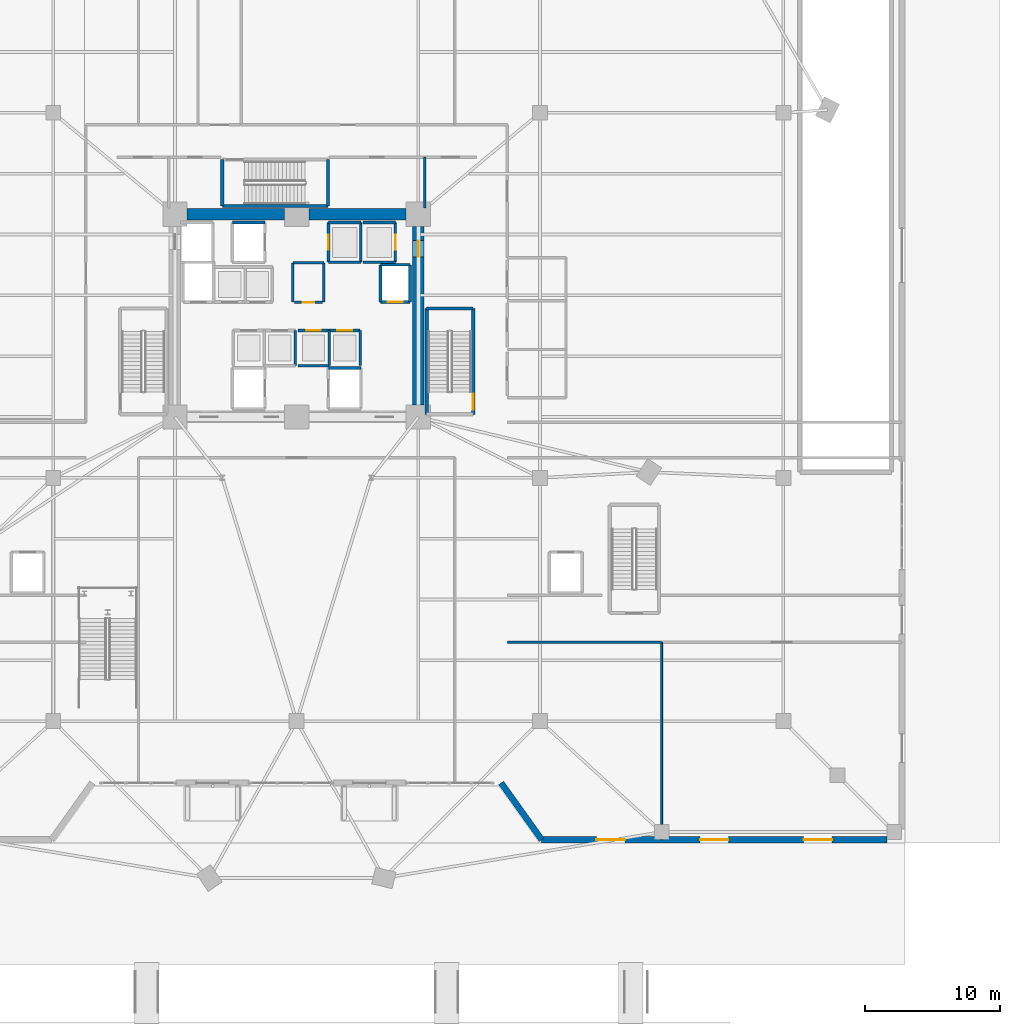
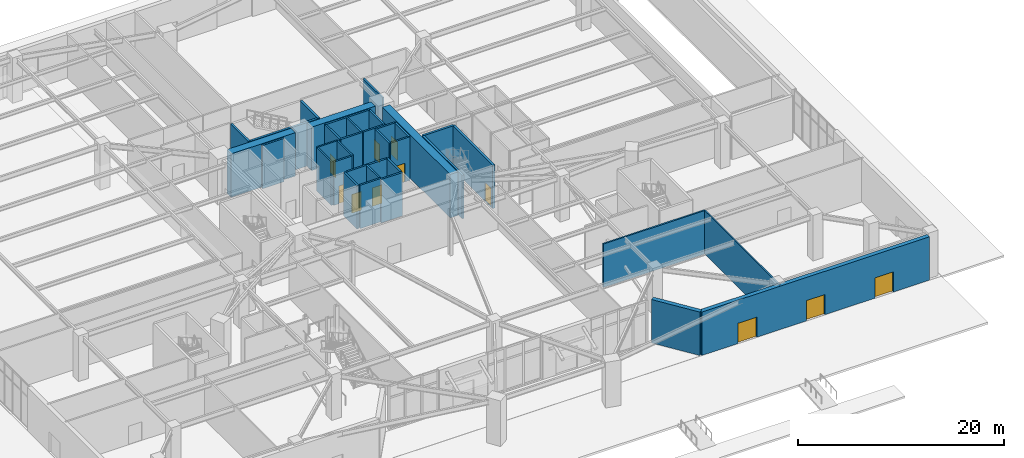
# One storey, part 19 of 30: 37 walls, 11 doors, 11 openings.
"""IFC4 building model written with IfcOpenShell, lengths in metres."""

from ifc_helpers import new_model, si_unit, direction, frame, frame_2d, origin, place, context, subcontext, project, spatial, rectangle, extrude, source, transform, mapped, material, layer, layer_set, type_object, element, fill, save


model = new_model("IFC4")

# Units and contexts
model_context = context("Model", 3, precision=1e-05, world=origin(), true_north=direction((0.0, 1.0)))
body_context = subcontext(model_context, "Body", "Model", "MODEL_VIEW")
ifc_project = project(units=[si_unit("LENGTHUNIT", "METRE"), si_unit("AREAUNIT", "SQUARE_METRE"), si_unit("VOLUMEUNIT", "CUBIC_METRE"), si_unit("PLANEANGLEUNIT", "RADIAN"), si_unit("MASSUNIT", "GRAM", prefix="KILO")], contexts=[model_context])

# Site, building, storey
site_placement = place(None, origin())
site = spatial("IfcSite", under=ifc_project, at=site_placement, CompositionType="ELEMENT")
building_placement = place(site_placement, origin())
building = spatial("IfcBuilding", under=site, at=building_placement, Name="Liaohun Quay Tower", CompositionType="ELEMENT")
storey_placement = place(building_placement, origin())
storey = spatial("IfcBuildingStorey", under=building, at=storey_placement, Name="L01", CompositionType="ELEMENT", Elevation=0.0)

# Walls
ifc_material_1 = material(Name="Concrete C60", Category="concrete")
ifc_layer_1 = layer(ifc_material_1, 0.85009765625, Name="Concrete C60", Category="concrete")
ifc_layer_set_1 = layer_set([ifc_layer_1], Name="Concrete C60")
wall_type_1 = type_object("IfcWallType", Name="WAL-COR-Z1", PredefinedType="SHEAR", material=ifc_layer_set_1)
for number, where, z_axis, x_axis, name in (
    (1, (51.89990234375, 61.5, 0.0), (0.0, 0.0, 1.0), (1.0, 0.0, 0.0), "L01 Central Core Shear Wall N-W"),
    (2, (60.89990234375, 61.5, 0.0), (0.0, 0.0, 1.0), (1.0, 0.0, 0.0), "L01 Central Core Shear Wall N-E"),
):
    element("IfcWall", number, at=place(storey_placement, frame(where, z_axis=z_axis, x_axis=x_axis)), inside=storey, type_object=wall_type_1, Name=name, PredefinedType="SHEAR", context=body_context, shape_type="SweptSolid", body=[
        extrude(rectangle(XDim=7.2001953125, YDim=0.85009765625, at=frame_2d((3.60009765625, 0.0))), origin(), (0.0, 0.0, 1.0), 5.14990234375),
    ])

# Wall, opening, door
wall_1_placement = place(storey_placement, frame((69.0, 60.60009765625, 0.0), z_axis=(0.0, 0.0, 1.0), x_axis=(0.0, -1.0, 0.0)))
wall_1 = element("IfcWall", 3, at=wall_1_placement, inside=storey, type_object=wall_type_1, Name="L01 Central Core Shear Wall E", PredefinedType="SHEAR", context=body_context, shape_type="SweptSolid", body=[
    extrude(rectangle(XDim=13.2001953125, YDim=0.85009765625, at=frame_2d((6.60009765625, 0.0))), origin(), (0.0, 0.0, 1.0), 5.14990234375),
])
shared_shape_1 = source(origin(), body_context, "Body", "SweptSolid", [
    extrude(rectangle(XDim=1.199951171875, YDim=2.199951171875, at=frame_2d((0.60009765625, 1.10009765625))), frame((0.0, 0.43505859375, 0.0), z_axis=(0.0, -1.0, 0.0), x_axis=(1.0, 0.0, 0.0)), (0.0, 0.0, 1.0), 0.8701171875),
])
opening_1_placement = place(wall_1_placement, frame((1.050048828125, 0.0, 0.0)))
opening_1 = element("IfcOpeningElement", 4, at=opening_1_placement, cuts=wall_1, Name="Opening SD1", PredefinedType="OPENING", context=body_context, shape_type="MappedRepresentation", body=[
    mapped(shared_shape_1, transform((0.0, 0.0, 0.0), x_axis=(1.0, 0.0, 0.0), y_axis=(0.0, 1.0, 0.0), z_axis=(0.0, 0.0, 1.0), scale=1.0)),
])
ifc_material_2 = material(Name="Galvanised steel fire door", Category="steel")
door_type_1 = type_object("IfcDoorType", Name="DOR-STR-1200", OperationType="NOTDEFINED", PredefinedType="DOOR", material=ifc_material_2)
shared_shape_2 = source(origin(), body_context, "Body", "SweptSolid", [
    extrude(rectangle(XDim=1.199951171875, YDim=2.199951171875, at=frame_2d((0.60009765625, 1.10009765625))), frame((0.0, 0.02490234375, 0.0), z_axis=(0.0, -1.0, 0.0), x_axis=(1.0, 0.0, 0.0)), (0.0, 0.0, 1.0), 0.050048828125),
])
door_1_placement = place(opening_1_placement, origin())
door_1 = element("IfcDoor", 5, at=door_1_placement, inside=storey, type_object=door_type_1, Name="L01 North-East Core Lobby Smokeproof Door", OperationType="SINGLE_SWING_LEFT", OverallHeight=2.199951171875, OverallWidth=1.199951171875, PredefinedType="DOOR", context=body_context, shape_type="MappedRepresentation", body=[
    mapped(shared_shape_2, transform((0.0, 0.0, 0.0), x_axis=(1.0, 0.0, 0.0), y_axis=(0.0, 1.0, 0.0), z_axis=(0.0, 0.0, 1.0), scale=1.0)),
])
fill(opening_1, door_1)

# Wall
ifc_material_3 = material(Name="Precast concrete C50 with granite facing", Category="masonry")
ifc_layer_2 = layer(ifc_material_3, 0.4599609375, Name="Precast concrete C50 with granite facing", Category="masonry")
ifc_layer_set_2 = layer_set([ifc_layer_2], Name="Precast concrete C50 with granite facing")
wall_type_2 = type_object("IfcWallType", Name="WAL-EXT-POD", PredefinedType="SOLIDWALL", material=ifc_layer_set_2)
wall_2_placement = place(storey_placement, frame((75.117919921875, 19.429931640625, 0.0), z_axis=(0.0, 0.0, 1.0), x_axis=(0.581242668191, -0.813730275137, 0.0)))
element("IfcWall", 6, at=wall_2_placement, inside=storey, type_object=wall_type_2, Name="L01 Podium Precast Facade Wall 03", PredefinedType="SOLIDWALL", context=body_context, shape_type="SweptSolid", body=[
    extrude(rectangle(XDim=5.161376953125, YDim=0.4599609375, at=frame_2d((2.58056640625, 0.0))), origin(), (0.0, 0.0, 1.0), 5.14990234375),
])

# Wall, openings, doors
wall_3_placement = place(storey_placement, frame((78.117919921875, 15.22998046875, 0.0), z_axis=(0.0, 0.0, 1.0), x_axis=(1.0, 0.0, 0.0)))
wall_3 = element("IfcWall", 7, at=wall_3_placement, inside=storey, type_object=wall_type_2, Name="L01 Podium Precast Facade Wall 04", PredefinedType="SOLIDWALL", context=body_context, shape_type="SweptSolid", body=[
    extrude(rectangle(XDim=25.5419921875, YDim=0.4599609375, at=frame_2d((12.77099609375, 0.0))), origin(), (0.0, 0.0, 1.0), 5.14990234375),
])
shared_shape_3 = source(origin(), body_context, "Body", "SweptSolid", [
    extrude(rectangle(XDim=2.10009765625, YDim=2.39990234375, at=frame_2d((1.050048828125, 1.199951171875))), frame((0.0, 0.239990234375, 0.0), z_axis=(0.0, -1.0, 0.0), x_axis=(1.0, 0.0, 0.0)), (0.0, 0.0, 1.0), 0.47998046875),
])
opening_2_placement = place(wall_3_placement, frame((4.05810546875, 0.0, 0.0)))
opening_2 = element("IfcOpeningElement", 8, at=opening_2_placement, cuts=wall_3, Name="Opening EX", PredefinedType="OPENING", context=body_context, shape_type="MappedRepresentation", body=[
    mapped(shared_shape_3, transform((0.0, 0.0, 0.0), x_axis=(1.0, 0.0, 0.0), y_axis=(0.0, 1.0, 0.0), z_axis=(0.0, 0.0, 1.0), scale=1.0)),
])
opening_3_placement = place(wall_3_placement, frame((11.720947265625, 0.0, 0.0)))
opening_3 = element("IfcOpeningElement", 9, at=opening_3_placement, cuts=wall_3, Name="Opening EX", PredefinedType="OPENING", context=body_context, shape_type="MappedRepresentation", body=[
    mapped(shared_shape_3, transform((0.0, 0.0, 0.0), x_axis=(1.0, 0.0, 0.0), y_axis=(0.0, 1.0, 0.0), z_axis=(0.0, 0.0, 1.0), scale=1.0)),
])
opening_4_placement = place(wall_3_placement, frame((19.384033203125, 0.0, 0.0)))
opening_4 = element("IfcOpeningElement", 10, at=opening_4_placement, cuts=wall_3, Name="Opening EX", PredefinedType="OPENING", context=body_context, shape_type="MappedRepresentation", body=[
    mapped(shared_shape_3, transform((0.0, 0.0, 0.0), x_axis=(1.0, 0.0, 0.0), y_axis=(0.0, 1.0, 0.0), z_axis=(0.0, 0.0, 1.0), scale=1.0)),
])
ifc_material_4 = material(Name="Thermally broken glazed steel", Category="steel")
door_type_2 = type_object("IfcDoorType", Name="DOR-EXIT-2100", OperationType="DOUBLE_DOOR_SINGLE_SWING", PredefinedType="DOOR", material=ifc_material_4)
shared_shape_4 = source(origin(), body_context, "Body", "SweptSolid", [
    extrude(rectangle(XDim=2.10009765625, YDim=2.39990234375, at=frame_2d((1.050048828125, 1.199951171875))), frame((0.0, 0.02490234375, 0.0), z_axis=(0.0, -1.0, 0.0), x_axis=(1.0, 0.0, 0.0)), (0.0, 0.0, 1.0), 0.050048828125),
])
door_2_placement = place(opening_2_placement, frame((2.10009765625, 0.0, 0.0), z_axis=(0.0, 0.0, 1.0), x_axis=(-1.0, 0.0, 0.0)))
door_2 = element("IfcDoor", 11, at=door_2_placement, inside=storey, type_object=door_type_2, Name="L01 SE Promenade Exit Discharge Door 1", OperationType="DOUBLE_DOOR_SINGLE_SWING", OverallHeight=2.39990234375, OverallWidth=2.10009765625, PredefinedType="DOOR", context=body_context, shape_type="MappedRepresentation", body=[
    mapped(shared_shape_4, transform((0.0, 0.0, 0.0), x_axis=(1.0, 0.0, 0.0), y_axis=(0.0, 1.0, 0.0), z_axis=(0.0, 0.0, 1.0), scale=1.0)),
])
fill(opening_2, door_2)
door_3_placement = place(opening_3_placement, frame((2.10009765625, 0.0, 0.0), z_axis=(0.0, 0.0, 1.0), x_axis=(-1.0, 0.0, 0.0)))
door_3 = element("IfcDoor", 12, at=door_3_placement, inside=storey, type_object=door_type_2, Name="L01 SE Promenade Exit Discharge Door 2", OperationType="DOUBLE_DOOR_SINGLE_SWING", OverallHeight=2.39990234375, OverallWidth=2.10009765625, PredefinedType="DOOR", context=body_context, shape_type="MappedRepresentation", body=[
    mapped(shared_shape_4, transform((0.0, 0.0, 0.0), x_axis=(1.0, 0.0, 0.0), y_axis=(0.0, 1.0, 0.0), z_axis=(0.0, 0.0, 1.0), scale=1.0)),
])
fill(opening_3, door_3)
door_4_placement = place(opening_4_placement, frame((2.10009765625, 0.0, 0.0), z_axis=(0.0, 0.0, 1.0), x_axis=(-1.0, 0.0, 0.0)))
door_4 = element("IfcDoor", 13, at=door_4_placement, inside=storey, type_object=door_type_2, Name="L01 SE Promenade Exit Discharge Door 3", OperationType="DOUBLE_DOOR_SINGLE_SWING", OverallHeight=2.39990234375, OverallWidth=2.10009765625, PredefinedType="DOOR", context=body_context, shape_type="MappedRepresentation", body=[
    mapped(shared_shape_4, transform((0.0, 0.0, 0.0), x_axis=(1.0, 0.0, 0.0), y_axis=(0.0, 1.0, 0.0), z_axis=(0.0, 0.0, 1.0), scale=1.0)),
])
fill(opening_4, door_4)

# Wall, opening, door
ifc_material_5 = material(Name="Autoclaved aerated concrete blockwork", Category="masonry")
ifc_layer_3 = layer(ifc_material_5, 0.179931640625, Name="Autoclaved aerated concrete blockwork", Category="masonry")
ifc_layer_set_3 = layer_set([ifc_layer_3], Name="Autoclaved aerated concrete blockwork")
wall_type_3 = type_object("IfcWallType", Name="WAL-PRT-COR", PredefinedType="PARTITIONING", material=ifc_layer_set_3)
wall_4_placement = place(storey_placement, frame((59.840087890625, 54.97998046875, 0.0), z_axis=(0.0, 0.0, 1.0), x_axis=(1.0, 0.0, 0.0)))
wall_4 = element("IfcWall", 14, at=wall_4_placement, inside=storey, type_object=wall_type_3, Name="L01 Interior Partition Wall 001", PredefinedType="PARTITIONING", context=body_context, shape_type="SweptSolid", body=[
    extrude(rectangle(XDim=2.059814453125, YDim=0.179931640625, at=frame_2d((1.02978515625, 0.0))), origin(), (0.0, 0.0, 1.0), 5.14990234375),
])
shared_shape_5 = source(origin(), body_context, "Body", "SweptSolid", [
    extrude(rectangle(XDim=0.85009765625, YDim=2.10009765625, at=frame_2d((0.425048828125, 1.050048828125))), frame((0.0, 0.099853515625, 0.0), z_axis=(0.0, -1.0, 0.0), x_axis=(1.0, 0.0, 0.0)), (0.0, 0.0, 1.0), 0.199951171875),
])
opening_5_placement = place(wall_4_placement, frame((0.60498046875, 0.0, 0.0)))
opening_5 = element("IfcOpeningElement", 15, at=opening_5_placement, cuts=wall_4, Name="Opening AD1", PredefinedType="OPENING", context=body_context, shape_type="MappedRepresentation", body=[
    mapped(shared_shape_5, transform((0.0, 0.0, 0.0), x_axis=(1.0, 0.0, 0.0), y_axis=(0.0, 1.0, 0.0), z_axis=(0.0, 0.0, 1.0), scale=1.0)),
])
ifc_material_6 = material(Name="Steel riser inspection fire door", Category="steel")
door_type_3 = type_object("IfcDoorType", Name="DOR-SHF-850", OperationType="NOTDEFINED", PredefinedType="DOOR", material=ifc_material_6)
shared_shape_6 = source(origin(), body_context, "Body", "SweptSolid", [
    extrude(rectangle(XDim=0.85009765625, YDim=2.10009765625, at=frame_2d((0.425048828125, 1.050048828125))), frame((0.0, 0.02490234375, 0.0), z_axis=(0.0, -1.0, 0.0), x_axis=(1.0, 0.0, 0.0)), (0.0, 0.0, 1.0), 0.050048828125),
])
door_5_placement = place(opening_5_placement, origin())
door_5 = element("IfcDoor", 16, at=door_5_placement, inside=storey, type_object=door_type_3, Name="L01 Core Electrical and Telecom Riser Room Door", OperationType="SINGLE_SWING_RIGHT", OverallHeight=2.10009765625, OverallWidth=0.85009765625, PredefinedType="DOOR", context=body_context, shape_type="MappedRepresentation", body=[
    mapped(shared_shape_6, transform((0.0, 0.0, 0.0), x_axis=(1.0, 0.0, 0.0), y_axis=(0.0, 1.0, 0.0), z_axis=(0.0, 0.0, 1.0), scale=1.0)),
])
fill(opening_5, door_5)

# Walls
for number, where, z_axis, x_axis, name in (
    (17, (59.719970703125, 55.02001953125, 0.0), (0.0, 0.0, 1.0), (0.0, 1.0, 0.0), "L01 Interior Partition Wall 016"),
    (18, (62.010009765625, 55.02001953125, 0.0), (0.0, 0.0, 1.0), (0.0, 1.0, 0.0), "L01 Interior Partition Wall 017"),
):
    element("IfcWall", number, at=place(storey_placement, frame(where, z_axis=z_axis, x_axis=x_axis)), inside=storey, type_object=wall_type_3, Name=name, PredefinedType="PARTITIONING", context=body_context, shape_type="SweptSolid", body=[
        extrude(rectangle(XDim=2.8798828125, YDim=0.179931640625, at=frame_2d((1.43994140625, 0.0))), origin(), (0.0, 0.0, 1.0), 5.14990234375),
    ])
wall_5_placement = place(storey_placement, frame((59.719970703125, 57.919921875, 0.0), z_axis=(0.0, 0.0, 1.0), x_axis=(1.0, 0.0, 0.0)))
element("IfcWall", 19, at=wall_5_placement, inside=storey, type_object=wall_type_3, Name="L01 Interior Partition Wall 018", PredefinedType="PARTITIONING", context=body_context, shape_type="SweptSolid", body=[
    extrude(rectangle(XDim=2.2900390625, YDim=0.179931640625, at=frame_2d((1.14501953125, 0.0))), origin(), (0.0, 0.0, 1.0), 5.14990234375),
])
wall_6_placement = place(storey_placement, frame((75.580078125, 29.85009765625, 0.0), z_axis=(0.0, 0.0, 1.0), x_axis=(1.0, 0.0, 0.0)))
element("IfcWall", 20, at=wall_6_placement, inside=storey, type_object=wall_type_3, Name="L01 Interior Partition Wall 034", PredefinedType="PARTITIONING", context=body_context, shape_type="SweptSolid", body=[
    extrude(rectangle(XDim=11.419921875, YDim=0.179931640625, at=frame_2d((5.7099609375, 0.0))), origin(), (0.0, 0.0, 1.0), 5.14990234375),
])
wall_7_placement = place(storey_placement, frame((69.4599609375, 61.949951171875, 0.0), z_axis=(0.0, 0.0, 1.0), x_axis=(0.0, 1.0, 0.0)))
element("IfcWall", 21, at=wall_7_placement, inside=storey, type_object=wall_type_3, Name="L01 Interior Partition Wall 046", PredefinedType="PARTITIONING", context=body_context, shape_type="SweptSolid", body=[
    extrude(rectangle(XDim=3.77001953125, YDim=0.179931640625, at=frame_2d((1.885009765625, 0.0))), origin(), (0.0, 0.0, 1.0), 5.14990234375),
])
ifc_material_7 = material(Name="Gypsum board on twin steel studs", Category="steel")
ifc_layer_4 = layer(ifc_material_7, 0.139892578125, Name="Gypsum board on twin steel studs", Category="steel")
ifc_layer_set_4 = layer_set([ifc_layer_4], Name="Gypsum board on twin steel studs")
wall_type_4 = type_object("IfcWallType", Name="WAL-PRT-OFF", PredefinedType="PARTITIONING", material=ifc_layer_set_4)
wall_8_placement = place(storey_placement, frame((87.0, 15.22509765625, 0.0), z_axis=(0.0, 0.0, 1.0), x_axis=(0.0, 1.0, 0.0)))
element("IfcWall", 22, at=wall_8_placement, inside=storey, type_object=wall_type_4, Name="L01 Interior Partition Wall 040", PredefinedType="PARTITIONING", context=body_context, shape_type="SweptSolid", body=[
    extrude(rectangle(XDim=14.625, YDim=0.139892578125, at=frame_2d((7.3125, 0.0))), origin(), (0.0, 0.0, 1.0), 5.14990234375),
])

# Wall, opening, door
ifc_material_8 = material(Name="Concrete C50", Category="concrete")
ifc_layer_5 = layer(ifc_material_8, 0.239990234375, Name="Concrete C50", Category="concrete")
ifc_layer_set_5 = layer_set([ifc_layer_5], Name="Concrete C50")
wall_type_5 = type_object("IfcWallType", Name="WAL-SHF-200", PredefinedType="SOLIDWALL", material=ifc_layer_set_5)
wall_9_placement = place(storey_placement, frame((73.06005859375, 46.699951171875, 0.0), z_axis=(0.0, 0.0, 1.0), x_axis=(0.0, 1.0, 0.0)))
wall_9 = element("IfcWall", 23, at=wall_9_placement, inside=storey, type_object=wall_type_5, Name="L01 Stairwell ST-2 Structural Core Wall E", PredefinedType="SOLIDWALL", context=body_context, shape_type="SweptSolid", body=[
    extrude(rectangle(XDim=7.820068359375, YDim=0.239990234375, at=frame_2d((3.91015625, 0.0))), origin(), (0.0, 0.0, 1.0), 5.14990234375),
])
shared_shape_7 = source(origin(), body_context, "Body", "SweptSolid", [
    extrude(rectangle(XDim=1.199951171875, YDim=2.199951171875, at=frame_2d((0.60009765625, 1.10009765625))), frame((0.0, 0.1298828125, 0.0), z_axis=(0.0, -1.0, 0.0), x_axis=(1.0, 0.0, 0.0)), (0.0, 0.0, 1.0), 0.260009765625),
])
opening_6_placement = place(wall_9_placement, frame((0.320068359375, 0.0, 0.0)))
opening_6 = element("IfcOpeningElement", 24, at=opening_6_placement, cuts=wall_9, Name="Opening SD1", PredefinedType="OPENING", context=body_context, shape_type="MappedRepresentation", body=[
    mapped(shared_shape_7, transform((0.0, 0.0, 0.0), x_axis=(1.0, 0.0, 0.0), y_axis=(0.0, 1.0, 0.0), z_axis=(0.0, 0.0, 1.0), scale=1.0)),
])
door_6_placement = place(opening_6_placement, origin())
door_6 = element("IfcDoor", 25, at=door_6_placement, inside=storey, type_object=door_type_1, Name="L01 Protected Stair ST-2 Fire Door", OperationType="SINGLE_SWING_RIGHT", OverallHeight=2.199951171875, OverallWidth=1.199951171875, PredefinedType="DOOR", context=body_context, shape_type="MappedRepresentation", body=[
    mapped(shared_shape_2, transform((0.0, 0.0, 0.0), x_axis=(1.0, 0.0, 0.0), y_axis=(0.0, 1.0, 0.0), z_axis=(0.0, 0.0, 1.0), scale=1.0)),
])
fill(opening_6, door_6)

# Walls
wall_10_placement = place(storey_placement, frame((73.06005859375, 54.52001953125, 0.0), z_axis=(0.0, 0.0, 1.0), x_axis=(-1.0, 0.0, 0.0)))
element("IfcWall", 26, at=wall_10_placement, inside=storey, type_object=wall_type_5, Name="L01 Stairwell ST-2 Structural Core Wall N", PredefinedType="SOLIDWALL", context=body_context, shape_type="SweptSolid", body=[
    extrude(rectangle(XDim=3.43994140625, YDim=0.239990234375, at=frame_2d((1.719970703125, 0.0))), origin(), (0.0, 0.0, 1.0), 5.14990234375),
])
for number, where, z_axis, x_axis, name in (
    (27, (69.6201171875, 54.52001953125, 0.0), (0.0, 0.0, 1.0), (0.0, -1.0, 0.0), "L01 Stairwell ST-2 Structural Core Wall W"),
    (28, (54.5, 62.10009765625, 0.0), (0.0, 0.0, 1.0), (1.0, 0.0, 0.0), "L01 Stairwell ST-3 Structural Core Wall S"),
):
    element("IfcWall", number, at=place(storey_placement, frame(where, z_axis=z_axis, x_axis=x_axis)), inside=storey, type_object=wall_type_5, Name=name, PredefinedType="SOLIDWALL", context=body_context, shape_type="SweptSolid", body=[
        extrude(rectangle(XDim=7.820068359375, YDim=0.239990234375, at=frame_2d((3.91015625, 0.0))), origin(), (0.0, 0.0, 1.0), 5.14990234375),
    ])
for number, where, z_axis, x_axis, name in (
    (29, (62.320068359375, 62.10009765625, 0.0), (0.0, 0.0, 1.0), (0.0, 1.0, 0.0), "L01 Stairwell ST-3 Structural Core Wall E"),
    (30, (54.5, 65.5400390625, 0.0), (0.0, 0.0, 1.0), (0.0, -1.0, 0.0), "L01 Stairwell ST-3 Structural Core Wall W"),
):
    element("IfcWall", number, at=place(storey_placement, frame(where, z_axis=z_axis, x_axis=x_axis)), inside=storey, type_object=wall_type_5, Name=name, PredefinedType="SOLIDWALL", context=body_context, shape_type="SweptSolid", body=[
        extrude(rectangle(XDim=3.43994140625, YDim=0.239990234375, at=frame_2d((1.719970703125, 0.0))), origin(), (0.0, 0.0, 1.0), 5.14990234375),
    ])
for number, where, z_axis, x_axis, name in (
    (31, (64.75, 50.1201171875, 0.0), (0.0, 0.0, 1.0), (-1.0, 0.0, 0.0), "L01 Lift FF-02 Hoistway Wall N"),
    (32, (57.64990234375, 60.8798828125, 0.0), (0.0, 0.0, 1.0), (-1.0, 0.0, 0.0), "L01 Lift FF-03 Hoistway Wall N"),
    (33, (62.35009765625, 57.949951171875, 0.0), (0.0, 0.0, 1.0), (1.0, 0.0, 0.0), "L01 Lift OB-01 Hoistway Wall S"),
):
    element("IfcWall", number, at=place(storey_placement, frame(where, z_axis=z_axis, x_axis=x_axis)), inside=storey, type_object=wall_type_5, Name=name, PredefinedType="SOLIDWALL", context=body_context, shape_type="SweptSolid", body=[
        extrude(rectangle(XDim=2.39990234375, YDim=0.199951171875, at=frame_2d((1.199951171875, 0.0))), origin(), (0.0, 0.0, 1.0), 5.14990234375),
    ])
wall_11_placement = place(storey_placement, frame((64.75, 57.949951171875, 0.0), z_axis=(0.0, 0.0, 1.0), x_axis=(0.0, 1.0, 0.0)))
element("IfcWall", 34, at=wall_11_placement, inside=storey, type_object=wall_type_5, Name="L01 Lift OB-01 Hoistway Wall E", PredefinedType="SOLIDWALL", context=body_context, shape_type="SweptSolid", body=[
    extrude(rectangle(XDim=2.929931640625, YDim=0.199951171875, at=frame_2d((1.46484375, 0.0))), origin(), (0.0, 0.0, 1.0), 5.14990234375),
])
wall_12_placement = place(storey_placement, frame((64.75, 60.8798828125, 0.0), z_axis=(0.0, 0.0, 1.0), x_axis=(-1.0, 0.0, 0.0)))
element("IfcWall", 35, at=wall_12_placement, inside=storey, type_object=wall_type_5, Name="L01 Lift OB-01 Hoistway Wall N", PredefinedType="SOLIDWALL", context=body_context, shape_type="SweptSolid", body=[
    extrude(rectangle(XDim=2.39990234375, YDim=0.199951171875, at=frame_2d((1.199951171875, 0.0))), origin(), (0.0, 0.0, 1.0), 5.14990234375),
])

# Wall, opening, door
wall_13_placement = place(storey_placement, frame((62.35009765625, 60.8798828125, 0.0), z_axis=(0.0, 0.0, 1.0), x_axis=(0.0, -1.0, 0.0)))
wall_13 = element("IfcWall", 36, at=wall_13_placement, inside=storey, type_object=wall_type_5, Name="L01 Lift OB-01 Hoistway Wall W", PredefinedType="SOLIDWALL", context=body_context, shape_type="SweptSolid", body=[
    extrude(rectangle(XDim=2.929931640625, YDim=0.199951171875, at=frame_2d((1.46484375, 0.0))), origin(), (0.0, 0.0, 1.0), 5.14990234375),
])
shared_shape_8 = source(origin(), body_context, "Body", "SweptSolid", [
    extrude(rectangle(XDim=1.10009765625, YDim=2.199951171875, at=frame_2d((0.550048828125, 1.10009765625))), frame((0.0, 0.10986328125, 0.0), z_axis=(0.0, -1.0, 0.0), x_axis=(1.0, 0.0, 0.0)), (0.0, 0.0, 1.0), 0.219970703125),
])
opening_7_placement = place(wall_13_placement, frame((0.9150390625, 0.0, 0.0)))
opening_7 = element("IfcOpeningElement", 37, at=opening_7_placement, cuts=wall_13, Name="Opening LD1", PredefinedType="OPENING", context=body_context, shape_type="MappedRepresentation", body=[
    mapped(shared_shape_8, transform((0.0, 0.0, 0.0), x_axis=(1.0, 0.0, 0.0), y_axis=(0.0, 1.0, 0.0), z_axis=(0.0, 0.0, 1.0), scale=1.0)),
])
ifc_material_9 = material(Name="Brushed stainless steel landing door", Category="steel")
door_type_4 = type_object("IfcDoorType", Name="DOR-LFT-1100", OperationType="SLIDING_TO_LEFT", PredefinedType="DOOR", material=ifc_material_9)
shared_shape_9 = source(origin(), body_context, "Body", "SweptSolid", [
    extrude(rectangle(XDim=1.10009765625, YDim=2.199951171875, at=frame_2d((0.550048828125, 1.10009765625))), frame((0.0, 0.02490234375, 0.0), z_axis=(0.0, -1.0, 0.0), x_axis=(1.0, 0.0, 0.0)), (0.0, 0.0, 1.0), 0.050048828125),
])
door_7_placement = place(opening_7_placement, origin())
door_7 = element("IfcDoor", 38, at=door_7_placement, inside=storey, type_object=door_type_4, Name="L01 Lift OB-01 Sliding Landing Door", OperationType="SLIDING_TO_LEFT", OverallHeight=2.199951171875, OverallWidth=1.10009765625, PredefinedType="DOOR", context=body_context, shape_type="MappedRepresentation", body=[
    mapped(shared_shape_9, transform((0.0, 0.0, 0.0), x_axis=(1.0, 0.0, 0.0), y_axis=(0.0, 1.0, 0.0), z_axis=(0.0, 0.0, 1.0), scale=1.0)),
])
fill(opening_7, door_7)

# Wall
wall_14_placement = place(storey_placement, frame((64.89990234375, 57.949951171875, 0.0), z_axis=(0.0, 0.0, 1.0), x_axis=(1.0, 0.0, 0.0)))
element("IfcWall", 39, at=wall_14_placement, inside=storey, type_object=wall_type_5, Name="L01 Lift OB-02 Hoistway Wall S", PredefinedType="SOLIDWALL", context=body_context, shape_type="SweptSolid", body=[
    extrude(rectangle(XDim=2.400146484375, YDim=0.199951171875, at=frame_2d((1.2001953125, 0.0))), origin(), (0.0, 0.0, 1.0), 5.14990234375),
])

# Wall, opening, door
wall_15_placement = place(storey_placement, frame((67.300048828125, 57.949951171875, 0.0), z_axis=(0.0, 0.0, 1.0), x_axis=(0.0, 1.0, 0.0)))
wall_15 = element("IfcWall", 40, at=wall_15_placement, inside=storey, type_object=wall_type_5, Name="L01 Lift OB-02 Hoistway Wall E", PredefinedType="SOLIDWALL", context=body_context, shape_type="SweptSolid", body=[
    extrude(rectangle(XDim=2.929931640625, YDim=0.199951171875, at=frame_2d((1.46484375, 0.0))), origin(), (0.0, 0.0, 1.0), 5.14990234375),
])
opening_8_placement = place(wall_15_placement, frame((0.9150390625, 0.0, 0.0)))
opening_8 = element("IfcOpeningElement", 41, at=opening_8_placement, cuts=wall_15, Name="Opening LD1", PredefinedType="OPENING", context=body_context, shape_type="MappedRepresentation", body=[
    mapped(shared_shape_8, transform((0.0, 0.0, 0.0), x_axis=(1.0, 0.0, 0.0), y_axis=(0.0, 1.0, 0.0), z_axis=(0.0, 0.0, 1.0), scale=1.0)),
])
door_8_placement = place(opening_8_placement, origin())
door_8 = element("IfcDoor", 42, at=door_8_placement, inside=storey, type_object=door_type_4, Name="L01 Lift OB-02 Sliding Landing Door", OperationType="SLIDING_TO_LEFT", OverallHeight=2.199951171875, OverallWidth=1.10009765625, PredefinedType="DOOR", context=body_context, shape_type="MappedRepresentation", body=[
    mapped(shared_shape_9, transform((0.0, 0.0, 0.0), x_axis=(1.0, 0.0, 0.0), y_axis=(0.0, 1.0, 0.0), z_axis=(0.0, 0.0, 1.0), scale=1.0)),
])
fill(opening_8, door_8)

# Wall
wall_16_placement = place(storey_placement, frame((67.300048828125, 60.8798828125, 0.0), z_axis=(0.0, 0.0, 1.0), x_axis=(-1.0, 0.0, 0.0)))
element("IfcWall", 43, at=wall_16_placement, inside=storey, type_object=wall_type_5, Name="L01 Lift OB-02 Hoistway Wall N", PredefinedType="SOLIDWALL", context=body_context, shape_type="SweptSolid", body=[
    extrude(rectangle(XDim=2.400146484375, YDim=0.199951171875, at=frame_2d((1.2001953125, 0.0))), origin(), (0.0, 0.0, 1.0), 5.14990234375),
])

# Wall, opening, door
wall_17_placement = place(storey_placement, frame((66.199951171875, 55.0, 0.0), z_axis=(0.0, 0.0, 1.0), x_axis=(1.0, 0.0, 0.0)))
wall_17 = element("IfcWall", 44, at=wall_17_placement, inside=storey, type_object=wall_type_5, Name="L01 Lift SH-03 Hoistway Wall S", PredefinedType="SOLIDWALL", context=body_context, shape_type="SweptSolid", body=[
    extrude(rectangle(XDim=2.179931640625, YDim=0.199951171875, at=frame_2d((1.08984375, 0.0))), origin(), (0.0, 0.0, 1.0), 5.14990234375),
])
opening_9_placement = place(wall_17_placement, frame((0.5400390625, 0.0, 0.0)))
opening_9 = element("IfcOpeningElement", 45, at=opening_9_placement, cuts=wall_17, Name="Opening LD1", PredefinedType="OPENING", context=body_context, shape_type="MappedRepresentation", body=[
    mapped(shared_shape_8, transform((0.0, 0.0, 0.0), x_axis=(1.0, 0.0, 0.0), y_axis=(0.0, 1.0, 0.0), z_axis=(0.0, 0.0, 1.0), scale=1.0)),
])
door_9_placement = place(opening_9_placement, origin())
door_9 = element("IfcDoor", 46, at=door_9_placement, inside=storey, type_object=door_type_4, Name="L01 Lift SH-03 Sliding Landing Door", OperationType="SLIDING_TO_LEFT", OverallHeight=2.199951171875, OverallWidth=1.10009765625, PredefinedType="DOOR", context=body_context, shape_type="MappedRepresentation", body=[
    mapped(shared_shape_9, transform((0.0, 0.0, 0.0), x_axis=(1.0, 0.0, 0.0), y_axis=(0.0, 1.0, 0.0), z_axis=(0.0, 0.0, 1.0), scale=1.0)),
])
fill(opening_9, door_9)

# Walls
wall_18_placement = place(storey_placement, frame((68.3798828125, 55.0, 0.0), z_axis=(0.0, 0.0, 1.0), x_axis=(0.0, 1.0, 0.0)))
element("IfcWall", 47, at=wall_18_placement, inside=storey, type_object=wall_type_5, Name="L01 Lift SH-03 Hoistway Wall E", PredefinedType="SOLIDWALL", context=body_context, shape_type="SweptSolid", body=[
    extrude(rectangle(XDim=2.75, YDim=0.199951171875, at=frame_2d((1.375, 0.0))), origin(), (0.0, 0.0, 1.0), 5.14990234375),
])
wall_19_placement = place(storey_placement, frame((68.3798828125, 57.75, 0.0), z_axis=(0.0, 0.0, 1.0), x_axis=(-1.0, 0.0, 0.0)))
element("IfcWall", 48, at=wall_19_placement, inside=storey, type_object=wall_type_5, Name="L01 Lift SH-03 Hoistway Wall N", PredefinedType="SOLIDWALL", context=body_context, shape_type="SweptSolid", body=[
    extrude(rectangle(XDim=2.179931640625, YDim=0.199951171875, at=frame_2d((1.08984375, 0.0))), origin(), (0.0, 0.0, 1.0), 5.14990234375),
])
wall_20_placement = place(storey_placement, frame((66.199951171875, 57.75, 0.0), z_axis=(0.0, 0.0, 1.0), x_axis=(0.0, -1.0, 0.0)))
element("IfcWall", 49, at=wall_20_placement, inside=storey, type_object=wall_type_5, Name="L01 Lift SH-03 Hoistway Wall W", PredefinedType="SOLIDWALL", context=body_context, shape_type="SweptSolid", body=[
    extrude(rectangle(XDim=2.75, YDim=0.199951171875, at=frame_2d((1.375, 0.0))), origin(), (0.0, 0.0, 1.0), 5.14990234375),
])
wall_21_placement = place(storey_placement, frame((59.89990234375, 50.300048828125, 0.0), z_axis=(0.0, 0.0, 1.0), x_axis=(0.0, 1.0, 0.0)))
element("IfcWall", 50, at=wall_21_placement, inside=storey, type_object=wall_type_5, Name="L01 Lift PL-1B Hoistway Wall E", PredefinedType="SOLIDWALL", context=body_context, shape_type="SweptSolid", body=[
    extrude(rectangle(XDim=2.599853515625, YDim=0.199951171875, at=frame_2d((1.2998046875, 0.0))), origin(), (0.0, 0.0, 1.0), 5.14990234375),
])
wall_22_placement = place(storey_placement, frame((60.10009765625, 50.300048828125, 0.0), z_axis=(0.0, 0.0, 1.0), x_axis=(1.0, 0.0, 0.0)))
element("IfcWall", 51, at=wall_22_placement, inside=storey, type_object=wall_type_5, Name="L01 Lift PL-1C Hoistway Wall S", PredefinedType="SOLIDWALL", context=body_context, shape_type="SweptSolid", body=[
    extrude(rectangle(XDim=2.2998046875, YDim=0.199951171875, at=frame_2d((1.14990234375, 0.0))), origin(), (0.0, 0.0, 1.0), 5.14990234375),
])
wall_23_placement = place(storey_placement, frame((62.39990234375, 50.300048828125, 0.0), z_axis=(0.0, 0.0, 1.0), x_axis=(0.0, 1.0, 0.0)))
element("IfcWall", 52, at=wall_23_placement, inside=storey, type_object=wall_type_5, Name="L01 Lift PL-1C Hoistway Wall E", PredefinedType="SOLIDWALL", context=body_context, shape_type="SweptSolid", body=[
    extrude(rectangle(XDim=2.599853515625, YDim=0.199951171875, at=frame_2d((1.2998046875, 0.0))), origin(), (0.0, 0.0, 1.0), 5.14990234375),
])

# Wall, opening, door
wall_24_placement = place(storey_placement, frame((62.39990234375, 52.89990234375, 0.0), z_axis=(0.0, 0.0, 1.0), x_axis=(-1.0, 0.0, 0.0)))
wall_24 = element("IfcWall", 53, at=wall_24_placement, inside=storey, type_object=wall_type_5, Name="L01 Lift PL-1C Hoistway Wall N", PredefinedType="SOLIDWALL", context=body_context, shape_type="SweptSolid", body=[
    extrude(rectangle(XDim=2.2998046875, YDim=0.199951171875, at=frame_2d((1.14990234375, 0.0))), origin(), (0.0, 0.0, 1.0), 5.14990234375),
])
opening_10_placement = place(wall_24_placement, frame((0.60009765625, 0.0, 0.0)))
opening_10 = element("IfcOpeningElement", 54, at=opening_10_placement, cuts=wall_24, Name="Opening LD1", PredefinedType="OPENING", context=body_context, shape_type="MappedRepresentation", body=[
    mapped(shared_shape_8, transform((0.0, 0.0, 0.0), x_axis=(1.0, 0.0, 0.0), y_axis=(0.0, 1.0, 0.0), z_axis=(0.0, 0.0, 1.0), scale=1.0)),
])
door_10_placement = place(opening_10_placement, origin())
door_10 = element("IfcDoor", 55, at=door_10_placement, inside=storey, type_object=door_type_4, Name="L01 Lift PL-1C Sliding Landing Door", OperationType="SLIDING_TO_LEFT", OverallHeight=2.199951171875, OverallWidth=1.10009765625, PredefinedType="DOOR", context=body_context, shape_type="MappedRepresentation", body=[
    mapped(shared_shape_9, transform((0.0, 0.0, 0.0), x_axis=(1.0, 0.0, 0.0), y_axis=(0.0, 1.0, 0.0), z_axis=(0.0, 0.0, 1.0), scale=1.0)),
])
fill(opening_10, door_10)

# Wall
wall_25_placement = place(storey_placement, frame((64.699951171875, 50.300048828125, 0.0), z_axis=(0.0, 0.0, 1.0), x_axis=(0.0, 1.0, 0.0)))
element("IfcWall", 56, at=wall_25_placement, inside=storey, type_object=wall_type_5, Name="L01 Lift PL-2A Hoistway Wall E", PredefinedType="SOLIDWALL", context=body_context, shape_type="SweptSolid", body=[
    extrude(rectangle(XDim=2.599853515625, YDim=0.199951171875, at=frame_2d((1.2998046875, 0.0))), origin(), (0.0, 0.0, 1.0), 5.14990234375),
])

# Wall, opening, door
wall_26_placement = place(storey_placement, frame((64.699951171875, 52.89990234375, 0.0), z_axis=(0.0, 0.0, 1.0), x_axis=(-1.0, 0.0, 0.0)))
wall_26 = element("IfcWall", 57, at=wall_26_placement, inside=storey, type_object=wall_type_5, Name="L01 Lift PL-2A Hoistway Wall N", PredefinedType="SOLIDWALL", context=body_context, shape_type="SweptSolid", body=[
    extrude(rectangle(XDim=2.300048828125, YDim=0.199951171875, at=frame_2d((1.14990234375, 0.0))), origin(), (0.0, 0.0, 1.0), 5.14990234375),
])
opening_11_placement = place(wall_26_placement, frame((0.60009765625, 0.0, 0.0)))
opening_11 = element("IfcOpeningElement", 58, at=opening_11_placement, cuts=wall_26, Name="Opening LD1", PredefinedType="OPENING", context=body_context, shape_type="MappedRepresentation", body=[
    mapped(shared_shape_8, transform((0.0, 0.0, 0.0), x_axis=(1.0, 0.0, 0.0), y_axis=(0.0, 1.0, 0.0), z_axis=(0.0, 0.0, 1.0), scale=1.0)),
])
door_11_placement = place(opening_11_placement, origin())
door_11 = element("IfcDoor", 59, at=door_11_placement, inside=storey, type_object=door_type_4, Name="L01 Lift PL-2A Sliding Landing Door", OperationType="SLIDING_TO_LEFT", OverallHeight=2.199951171875, OverallWidth=1.10009765625, PredefinedType="DOOR", context=body_context, shape_type="MappedRepresentation", body=[
    mapped(shared_shape_9, transform((0.0, 0.0, 0.0), x_axis=(1.0, 0.0, 0.0), y_axis=(0.0, 1.0, 0.0), z_axis=(0.0, 0.0, 1.0), scale=1.0)),
])
fill(opening_11, door_11)

save(model, "model.ifc")
